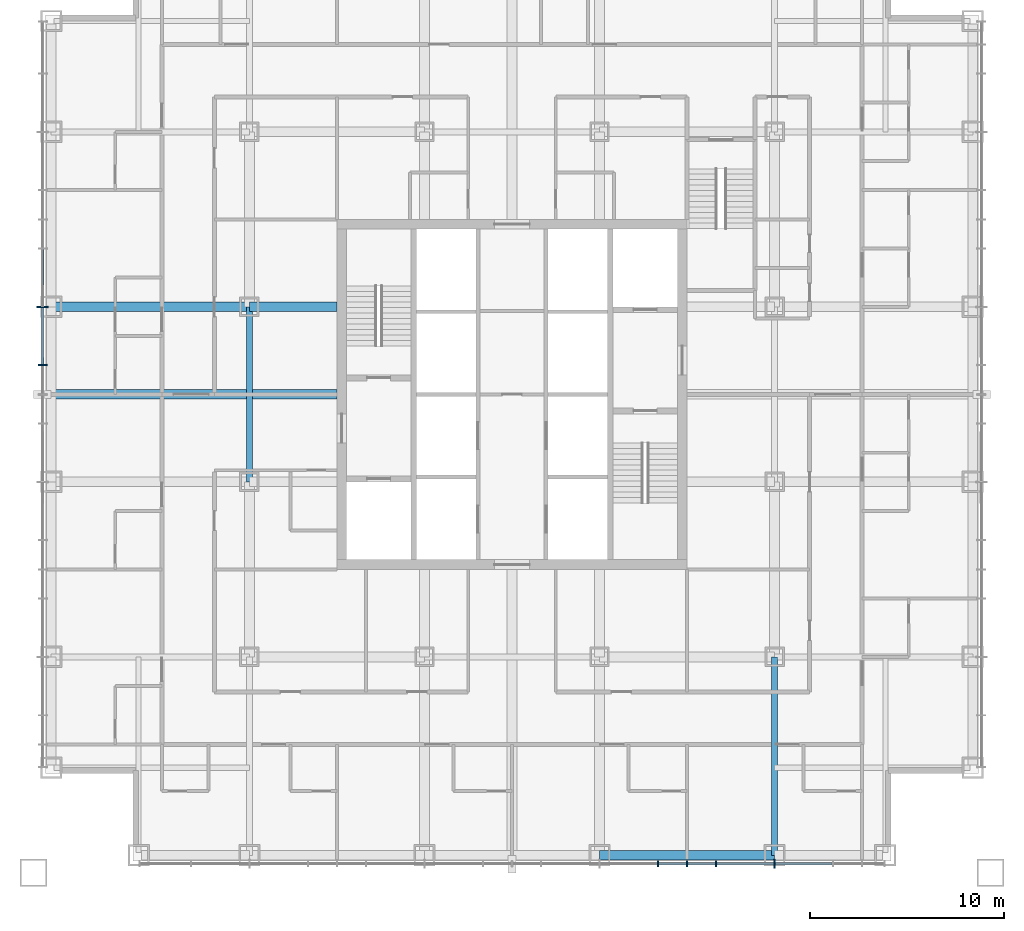
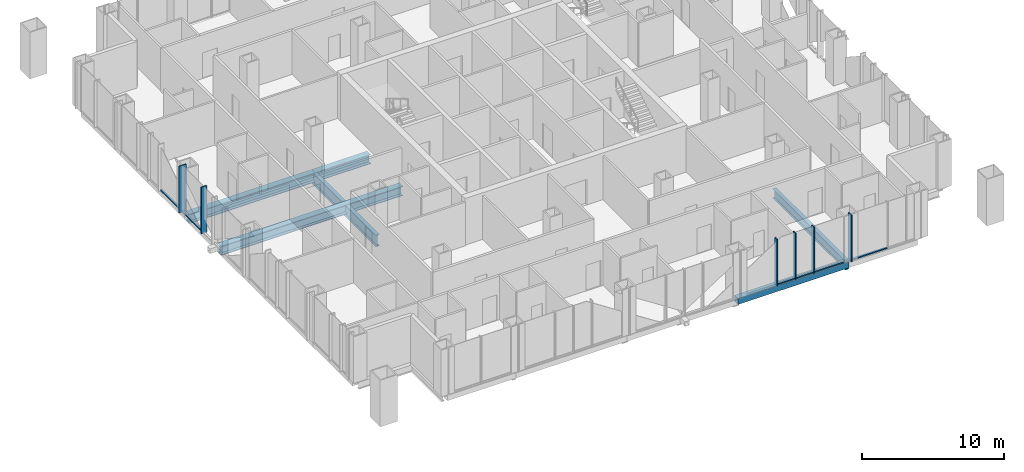
# One storey, part 3 of 13: 12 members, 6 beams, 2 elements without a shape of their own.
"""IFC4 building model written with IfcOpenShell, lengths in metres."""

from ifc_helpers import new_model, si_unit, direction, frame, origin, origin_2d, place, context, subcontext, project, spatial, rectangle, hollow_rectangle, i_section, extrude, material, layer, layer_set, material_profile, profile_set, type_object, element, aggregate, save


model = new_model("IFC4")

# Units and contexts
model_context = context("Model", 3, precision=1e-05, world=origin(), true_north=direction((0.0, 1.0)))
body_context = subcontext(model_context, "Body", "Model", "MODEL_VIEW")
ifc_project = project(units=[si_unit("LENGTHUNIT", "METRE"), si_unit("AREAUNIT", "SQUARE_METRE"), si_unit("VOLUMEUNIT", "CUBIC_METRE"), si_unit("PLANEANGLEUNIT", "RADIAN"), si_unit("MASSUNIT", "GRAM", prefix="KILO")], contexts=[model_context])

# Site, building, storey
site_placement = place(None, origin())
site = spatial("IfcSite", under=ifc_project, at=site_placement, CompositionType="ELEMENT")
building_placement = place(site_placement, origin())
building = spatial("IfcBuilding", under=site, at=building_placement, Name="Malebo Sky Hospital", CompositionType="ELEMENT")
storey_placement = place(building_placement, frame((0.0, 0.0, 156.0)))
storey = spatial("IfcBuildingStorey", under=building, at=storey_placement, Name="L37", CompositionType="ELEMENT", Elevation=156.0)

# Curtain wall, members
ifc_material_1 = material(Name="Anodised aluminium, natural silver", Category="aluminium")
ifc_layer_1 = layer(ifc_material_1, 0.25)
ifc_layer_set_1 = layer_set([ifc_layer_1], Name="WARD CURTAIN WALL EAST AND WEST")
curtain_wall_type_1 = type_object("IfcCurtainWallType", Name="WARD CURTAIN WALL EAST AND WEST", PredefinedType="NOTDEFINED", material=ifc_layer_set_1)
curtain_wall_1_placement = place(storey_placement, origin())
curtain_wall_1 = element("IfcCurtainWall", 1, at=curtain_wall_1_placement, inside=storey, type_object=curtain_wall_type_1, Name="EW curtain wall W", PredefinedType="NOTDEFINED")
ifc_material_profile_1 = material_profile(ifc_material_1, rectangle(XDim=0.14990234375, YDim=0.10009765625, at=origin_2d()), Name="ALUMINIUM TRANSOM 150x100")
ifc_profile_set_1 = profile_set([ifc_material_profile_1], Name="Anodised aluminium, natural silver")
member_type_1 = type_object("IfcMemberType", Name="ALUMINIUM TRANSOM 150x100", PredefinedType="USERDEFINED", material=ifc_profile_set_1)
member_1_placement = place(storey_placement, frame((35.864990234375, 63.53759765625, 0.050048828125), z_axis=(0.0, 1.0, 0.0), x_axis=(-1.0, 0.0, 0.0)))
member_1 = element("IfcMember", 2, at=member_1_placement, type_object=member_type_1, Name="Transom 11", ObjectType="TRANSOM", PredefinedType="USERDEFINED", context=body_context, shape_type="SweptSolid", body=[
    extrude(rectangle(XDim=0.14990234375, YDim=0.10009765625, at=origin_2d()), origin(), (0.0, 0.0, 1.0), 2.9248046875),
])
member_2_placement = place(storey_placement, frame((35.864990234375, 66.53759765625, 0.050048828125), z_axis=(0.0, 1.0, 0.0), x_axis=(-1.0, 0.0, 0.0)))
member_2 = element("IfcMember", 3, at=member_2_placement, type_object=member_type_1, Name="Transom 12", ObjectType="TRANSOM", PredefinedType="USERDEFINED", context=body_context, shape_type="SweptSolid", body=[
    extrude(rectangle(XDim=0.14990234375, YDim=0.10009765625, at=origin_2d()), origin(), (0.0, 0.0, 1.0), 2.9248046875),
])

ifc_layer_2 = layer(ifc_material_1, 0.25)
ifc_layer_set_2 = layer_set([ifc_layer_2], Name="WARD CURTAIN WALL NORTH AND SOUTH")
curtain_wall_type_2 = type_object("IfcCurtainWallType", Name="WARD CURTAIN WALL NORTH AND SOUTH", PredefinedType="NOTDEFINED", material=ifc_layer_set_2)
curtain_wall_2_placement = place(storey_placement, origin())
curtain_wall_2 = element("IfcCurtainWall", 4, at=curtain_wall_2_placement, inside=storey, type_object=curtain_wall_type_2, Name="NS curtain wall S", PredefinedType="NOTDEFINED")
member_3_placement = place(storey_placement, frame((76.46240234375, 37.864990234375, 0.050048828125), z_axis=(-1.0, 0.0, 0.0), x_axis=(0.0, -1.0, 0.0)))
member_3 = element("IfcMember", 5, at=member_3_placement, type_object=member_type_1, Name="Transom 3", ObjectType="TRANSOM", PredefinedType="USERDEFINED", context=body_context, shape_type="SweptSolid", body=[
    extrude(rectangle(XDim=0.14990234375, YDim=0.10009765625, at=origin_2d()), origin(), (0.0, 0.0, 1.0), 2.9248046875),
])
member_4_placement = place(storey_placement, frame((73.46240234375, 37.864990234375, 0.050048828125), z_axis=(-1.0, 0.0, 0.0), x_axis=(0.0, -1.0, 0.0)))
member_4 = element("IfcMember", 6, at=member_4_placement, type_object=member_type_1, Name="Transom 4", ObjectType="TRANSOM", PredefinedType="USERDEFINED", context=body_context, shape_type="SweptSolid", body=[
    extrude(rectangle(XDim=0.14990234375, YDim=0.10009765625, at=origin_2d()), origin(), (0.0, 0.0, 1.0), 2.9248046875),
])
member_5_placement = place(storey_placement, frame((70.46240234375, 37.864990234375, 0.050048828125), z_axis=(-1.0, 0.0, 0.0), x_axis=(0.0, -1.0, 0.0)))
member_5 = element("IfcMember", 7, at=member_5_placement, type_object=member_type_1, Name="Transom 5", ObjectType="TRANSOM", PredefinedType="USERDEFINED", context=body_context, shape_type="SweptSolid", body=[
    extrude(rectangle(XDim=0.14990234375, YDim=0.10009765625, at=origin_2d()), origin(), (0.0, 0.0, 1.0), 1.4248046875),
])
member_6_placement = place(storey_placement, frame((68.96240234375, 37.864990234375, 0.050048828125), z_axis=(-1.0, 0.0, 0.0), x_axis=(0.0, -1.0, 0.0)))
member_6 = element("IfcMember", 8, at=member_6_placement, type_object=member_type_1, Name="Transom 6", ObjectType="TRANSOM", PredefinedType="USERDEFINED", context=body_context, shape_type="SweptSolid", body=[
    extrude(rectangle(XDim=0.14990234375, YDim=0.10009765625, at=origin_2d()), origin(), (0.0, 0.0, 1.0), 1.4248046875),
])
ifc_material_profile_2 = material_profile(ifc_material_1, rectangle(XDim=0.074951171875, YDim=0.300048828125, at=origin_2d()), Name="CW1 ALUMINIUM FIN MULLION 75x300")
ifc_profile_set_2 = profile_set([ifc_material_profile_2], Name="Anodised aluminium, natural silver")
member_type_2 = type_object("IfcMemberType", Name="CW1 ALUMINIUM FIN MULLION 75x300", PredefinedType="MULLION", material=ifc_profile_set_2)
member_7_placement = place(storey_placement, frame((70.5, 37.864990234375, 0.0), z_axis=(0.0, 0.0, 1.0), x_axis=(-1.0, 0.0, 0.0)))
member_7 = element("IfcMember", 9, at=member_7_placement, type_object=member_type_2, Name="Fin mullion 5", PredefinedType="MULLION", context=body_context, shape_type="SweptSolid", body=[
    extrude(rectangle(XDim=0.074951171875, YDim=0.300048828125, at=origin_2d()), origin(), (0.0, 0.0, 1.0), 4.0),
])
member_8_placement = place(storey_placement, frame((69.0, 37.864990234375, 0.0), z_axis=(0.0, 0.0, 1.0), x_axis=(-1.0, 0.0, 0.0)))
member_8 = element("IfcMember", 10, at=member_8_placement, type_object=member_type_2, Name="Fin mullion 6", PredefinedType="MULLION", context=body_context, shape_type="SweptSolid", body=[
    extrude(rectangle(XDim=0.074951171875, YDim=0.300048828125, at=origin_2d()), origin(), (0.0, 0.0, 1.0), 4.0),
])
member_9_placement = place(storey_placement, frame((67.5, 37.864990234375, 0.0), z_axis=(0.0, 0.0, 1.0), x_axis=(-1.0, 0.0, 0.0)))
member_9 = element("IfcMember", 11, at=member_9_placement, type_object=member_type_2, Name="Fin mullion 7", PredefinedType="MULLION", context=body_context, shape_type="SweptSolid", body=[
    extrude(rectangle(XDim=0.074951171875, YDim=0.300048828125, at=origin_2d()), origin(), (0.0, 0.0, 1.0), 4.0),
])
ifc_material_profile_3 = material_profile(ifc_material_1, rectangle(XDim=0.074951171875, YDim=0.449951171875, at=origin_2d()), Name="CW1 ALUMINIUM FIN MULLION 75x450")
ifc_profile_set_3 = profile_set([ifc_material_profile_3], Name="Anodised aluminium, natural silver")
member_type_3 = type_object("IfcMemberType", Name="CW1 ALUMINIUM FIN MULLION 75x450", PredefinedType="MULLION", material=ifc_profile_set_3)
member_10_placement = place(storey_placement, frame((73.5, 37.864990234375, 0.0), z_axis=(0.0, 0.0, 1.0), x_axis=(-1.0, 0.0, 0.0)))
member_10 = element("IfcMember", 12, at=member_10_placement, type_object=member_type_3, Name="Fin mullion 4", PredefinedType="MULLION", context=body_context, shape_type="SweptSolid", body=[
    extrude(rectangle(XDim=0.074951171875, YDim=0.449951171875, at=origin_2d()), origin(), (0.0, 0.0, 1.0), 4.0),
])
aggregate(curtain_wall_2, [member_10, member_7, member_8, member_9, member_3, member_4, member_5, member_6])

# Member
ifc_material_profile_4 = material_profile(ifc_material_1, rectangle(XDim=0.074951171875, YDim=0.449951171875, at=origin_2d()), Name="CW2 ALUMINIUM FIN MULLION 75x450")
ifc_profile_set_4 = profile_set([ifc_material_profile_4], Name="Anodised aluminium, natural silver")
member_type_4 = type_object("IfcMemberType", Name="CW2 ALUMINIUM FIN MULLION 75x450", PredefinedType="MULLION", material=ifc_profile_set_4)
member_11_placement = place(storey_placement, frame((35.864990234375, 63.5, 0.0), z_axis=(0.0, 0.0, 1.0), x_axis=(0.0, 1.0, 0.0)))
member_11 = element("IfcMember", 13, at=member_11_placement, type_object=member_type_4, Name="Fin mullion 11", PredefinedType="MULLION", context=body_context, shape_type="SweptSolid", body=[
    extrude(rectangle(XDim=0.074951171875, YDim=0.449951171875, at=origin_2d()), origin(), (0.0, 0.0, 1.0), 4.0),
])

ifc_material_profile_5 = material_profile(ifc_material_1, rectangle(XDim=0.074951171875, YDim=0.60009765625, at=origin_2d()), Name="CW2 ALUMINIUM FIN MULLION 75x600")
ifc_profile_set_5 = profile_set([ifc_material_profile_5], Name="Anodised aluminium, natural silver")
member_type_5 = type_object("IfcMemberType", Name="CW2 ALUMINIUM FIN MULLION 75x600", PredefinedType="MULLION", material=ifc_profile_set_5)
member_12_placement = place(storey_placement, frame((35.864990234375, 66.5, 0.0), z_axis=(0.0, 0.0, 1.0), x_axis=(0.0, 1.0, 0.0)))
member_12 = element("IfcMember", 14, at=member_12_placement, type_object=member_type_5, Name="Fin mullion 12", PredefinedType="MULLION", context=body_context, shape_type="SweptSolid", body=[
    extrude(rectangle(XDim=0.074951171875, YDim=0.60009765625, at=origin_2d()), origin(), (0.0, 0.0, 1.0), 4.0),
])

aggregate(curtain_wall_1, [member_11, member_12, member_1, member_2])

# Beams
ifc_material_2 = material(Name="Steel S460", Category="steel")
ifc_material_profile_6 = material_profile(ifc_material_2, hollow_rectangle(XDim=0.5, YDim=0.5, WallThickness=0.030029296875, at=origin_2d()), Name="BOX 500x500x30")
ifc_profile_set_6 = profile_set([ifc_material_profile_6], Name="Steel S460")
beam_type_1 = type_object("IfcBeamType", Name="EDGE BEAM BOX 500x500x30", PredefinedType="BEAM", material=ifc_profile_set_6)
beam_1_placement = place(storey_placement, frame((64.5, 38.300048828125, -0.5), z_axis=(1.0, 0.0, 0.0), x_axis=(0.0, 1.0, 0.0)))
element("IfcBeam", 15, at=beam_1_placement, inside=storey, type_object=beam_type_1, Name="Beam 037 L37", PredefinedType="BEAM", context=body_context, shape_type="SweptSolid", body=[
    extrude(hollow_rectangle(XDim=0.5, YDim=0.5, WallThickness=0.030029296875, at=origin_2d()), origin(), (0.0, 0.0, 1.0), 9.0),
])
ifc_material_3 = material(Name="Steel S355", Category="steel")
ifc_material_profile_7 = material_profile(ifc_material_3, i_section(OverallWidth=0.5, OverallDepth=0.800048828125, WebThickness=0.030029296875, FlangeThickness=0.050048828125, at=origin_2d()), Name="PG 800x500x30x50")
ifc_profile_set_7 = profile_set([ifc_material_profile_7], Name="Steel S355")
beam_type_2 = type_object("IfcBeamType", Name="FLOOR BEAM PG 800x500x30x50", PredefinedType="BEAM", material=ifc_profile_set_7)
beam_2_placement = place(storey_placement, frame((36.300048828125, 62.0, -0.64990234375), z_axis=(1.0, 0.0, 0.0), x_axis=(0.0, 1.0, 0.0)))
element("IfcBeam", 16, at=beam_2_placement, inside=storey, type_object=beam_type_2, Name="Beam 050 L37", PredefinedType="BEAM", context=body_context, shape_type="SweptSolid", body=[
    extrude(i_section(OverallWidth=0.5, OverallDepth=0.800048828125, WebThickness=0.030029296875, FlangeThickness=0.050048828125, at=origin_2d()), origin(), (0.0, 0.0, 1.0), 14.699951171875),
])
beam_3_placement = place(storey_placement, frame((36.300048828125, 66.5, -0.64990234375), z_axis=(1.0, 0.0, 0.0), x_axis=(0.0, 1.0, 0.0)))
element("IfcBeam", 17, at=beam_3_placement, inside=storey, type_object=beam_type_2, Name="Beam 052 L37", PredefinedType="BEAM", context=body_context, shape_type="SweptSolid", body=[
    extrude(i_section(OverallWidth=0.5, OverallDepth=0.800048828125, WebThickness=0.030029296875, FlangeThickness=0.050048828125, at=origin_2d()), origin(), (0.0, 0.0, 1.0), 10.199951171875),
])
beam_4_placement = place(storey_placement, frame((46.5, 66.5, -0.64990234375), z_axis=(1.0, 0.0, 0.0), x_axis=(0.0, 1.0, 0.0)))
element("IfcBeam", 18, at=beam_4_placement, inside=storey, type_object=beam_type_2, Name="Beam 053 L37", PredefinedType="BEAM", context=body_context, shape_type="SweptSolid", body=[
    extrude(i_section(OverallWidth=0.5, OverallDepth=0.800048828125, WebThickness=0.030029296875, FlangeThickness=0.050048828125, at=origin_2d()), origin(), (0.0, 0.0, 1.0), 4.5),
])
ifc_material_profile_8 = material_profile(ifc_material_3, i_section(OverallWidth=0.300048828125, OverallDepth=0.800048828125, WebThickness=0.017578125, FlangeThickness=0.032958984375, FilletRadius=0.030029296875, at=origin_2d()), Name="HEB 800")
ifc_profile_set_8 = profile_set([ifc_material_profile_8], Name="Steel S355")
beam_type_3 = type_object("IfcBeamType", Name="FLOOR GIRDER HEB 800", PredefinedType="BEAM", material=ifc_profile_set_8)
beam_5_placement = place(storey_placement, frame((73.5, 38.300048828125, -0.64990234375), z_axis=(0.0, 1.0, 0.0), x_axis=(-1.0, 0.0, 0.0)))
element("IfcBeam", 19, at=beam_5_placement, inside=storey, type_object=beam_type_3, Name="Beam 022 L37", PredefinedType="BEAM", context=body_context, shape_type="SweptSolid", body=[
    extrude(i_section(OverallWidth=0.300048828125, OverallDepth=0.800048828125, WebThickness=0.017578125, FlangeThickness=0.032958984375, FilletRadius=0.030029296875, at=origin_2d()), origin(), (0.0, 0.0, 1.0), 10.199951171875),
])
ifc_material_profile_9 = material_profile(ifc_material_3, i_section(OverallWidth=0.300048828125, OverallDepth=1.0, WebThickness=0.01904296875, FlangeThickness=0.035888671875, FilletRadius=0.030029296875, at=origin_2d()), Name="HEB 1000")
ifc_profile_set_9 = profile_set([ifc_material_profile_9], Name="Steel S355")
beam_type_4 = type_object("IfcBeamType", Name="RING GIRDER HEB 1000", PredefinedType="BEAM", material=ifc_profile_set_9)
beam_6_placement = place(storey_placement, frame((46.5, 57.5, -0.75), z_axis=(0.0, 1.0, 0.0), x_axis=(-1.0, 0.0, 0.0)))
element("IfcBeam", 20, at=beam_6_placement, inside=storey, type_object=beam_type_4, Name="Beam 009 L37", PredefinedType="BEAM", context=body_context, shape_type="SweptSolid", body=[
    extrude(i_section(OverallWidth=0.300048828125, OverallDepth=1.0, WebThickness=0.01904296875, FlangeThickness=0.035888671875, FilletRadius=0.030029296875, at=origin_2d()), origin(), (0.0, 0.0, 1.0), 9.0),
])

save(model, "model.ifc")
